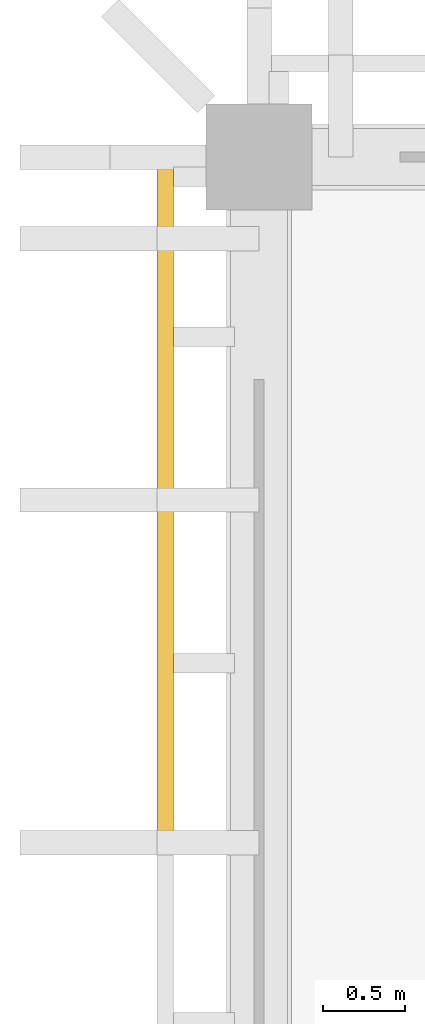
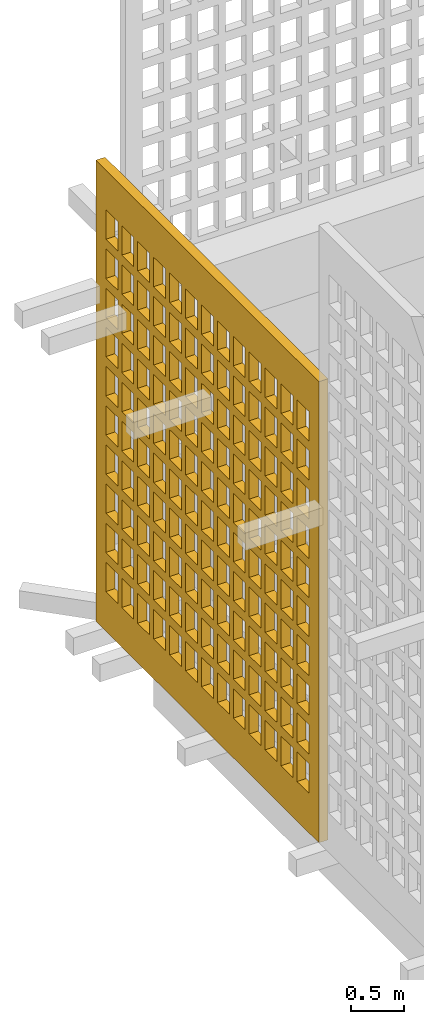
# One storey, part 18 of 23: 1 shading device, 1 opening.
"""IFC4 building model written with IfcOpenShell, lengths in metres."""

import ifcopenshell
import ifcopenshell.guid

model = None  # the IFC model being written
_history = None  # IfcOwnerHistory: only IFC2X3 demands one
_inside = {}  # id of a spatial element -> (the spatial element, [elements in it])
_under = {}  # id of a project, library or spatial element -> (it, [spatial elements below it])
_declared = {}  # id of a project -> (the project, [libraries it declares])
_typed = {}  # id of a type object -> (the type object, [elements of that type])
_made_of = {}  # id of a material, layer set ... -> (it, [elements and type objects made of it])


def new_model(schema):
    """Start an empty IFC model of exactly this schema.

    Asked for "IFC4X3", IfcOpenShell would pick the latest addendum, in which some entities
    have other attributes; the version numbers below select the first issue.
    IFC2X3 requires an IfcOwnerHistory on every rooted entity: one is made here for all.
    """
    global model, _history
    if schema == "IFC4X3":
        model = ifcopenshell.file(schema_version=(4, 3, 0, 0))
    else:
        model = ifcopenshell.file(schema=schema)
    _inside.clear()
    _under.clear()
    _declared.clear()
    _typed.clear()
    _made_of.clear()
    _history = None
    if model.schema == "IFC2X3":
        org = make("IfcOrganization", Name="unknown")
        user = make(
            "IfcPersonAndOrganization",
            ThePerson=make("IfcPerson", FamilyName="unknown"),
            TheOrganization=org,
        )
        app = make(
            "IfcApplication",
            ApplicationDeveloper=org,
            Version="unknown",
            ApplicationFullName="unknown",
            ApplicationIdentifier="unknown",
        )
        _history = make(
            "IfcOwnerHistory",
            OwningUser=user,
            OwningApplication=app,
            ChangeAction="ADDED",
            CreationDate=0,
        )
    return model


def make(cls, **values):
    """One entity of the class cls with the attributes given. An attribute that is None is left unset."""
    return model.create_entity(
        cls, **{name: value for name, value in values.items() if value is not None}
    )


def rooted(cls, **values):
    """An entity with a GlobalId (a new one), such as an element, a storey or a relation."""
    return make(cls, GlobalId=ifcopenshell.guid.new(), OwnerHistory=_history, **values)


def si_unit(unit_type, name, prefix=None):
    """IfcSIUnit, for example si_unit("LENGTHUNIT", "METRE", prefix="MILLI")."""
    return make("IfcSIUnit", UnitType=unit_type, Prefix=prefix, Name=name)


def assignment(units):
    """IfcUnitAssignment: the units of a project."""
    return None if units is None else make("IfcUnitAssignment", Units=units)


def point(xyz):
    """IfcCartesianPoint."""
    return None if xyz is None else make("IfcCartesianPoint", Coordinates=xyz)


def direction(xyz):
    """IfcDirection."""
    return None if xyz is None else make("IfcDirection", DirectionRatios=xyz)


def frame(location, z_axis=None, x_axis=None):
    """IfcAxis2Placement3D, a coordinate frame: its origin and axes. An axis left out is left unset."""
    return make(
        "IfcAxis2Placement3D",
        Location=point(location),
        Axis=direction(z_axis),
        RefDirection=direction(x_axis),
    )


def frame_2d(location, x_axis=None):
    """IfcAxis2Placement2D, a coordinate frame in the plane: its origin and x axis."""
    return make(
        "IfcAxis2Placement2D", Location=point(location), RefDirection=direction(x_axis)
    )


def origin():
    """The frame at (0, 0, 0) with its axes left unset."""
    return frame((0.0, 0.0, 0.0))


def origin_2d():
    """The frame at (0, 0) in the plane with its x axis left unset."""
    return frame_2d((0.0, 0.0))


def place(relative_to, where):
    """IfcLocalPlacement: puts the frame where relative to a parent placement (None: the world)."""
    return make(
        "IfcLocalPlacement", PlacementRelTo=relative_to, RelativePlacement=where
    )


def context(
    kind, dimensions, precision=None, world=None, true_north=None, identifier=None
):
    """IfcGeometricRepresentationContext, for example the 3D "Model" context."""
    return make(
        "IfcGeometricRepresentationContext",
        ContextIdentifier=identifier,
        ContextType=kind,
        CoordinateSpaceDimension=dimensions,
        Precision=precision,
        WorldCoordinateSystem=world,
        TrueNorth=true_north,
    )


def subcontext(parent, identifier, kind, view, scale=None):
    """IfcGeometricRepresentationSubContext, for example "Body" below "Model"."""
    return make(
        "IfcGeometricRepresentationSubContext",
        ContextIdentifier=identifier,
        ContextType=kind,
        ParentContext=parent,
        TargetScale=scale,
        TargetView=view,
    )


def project(units=None, contexts=None):
    """IfcProject with its units and contexts."""
    return rooted(
        "IfcProject",
        Name="project",
        RepresentationContexts=contexts,
        UnitsInContext=assignment(units),
    )


def spatial(cls, under=None, at=None, **own):
    """A site, building, storey or space (cls), placed at a placement, below another one or the project."""
    s = rooted(cls, ObjectPlacement=at, **own)
    if under is not None:
        _under.setdefault(under.id(), (under, []))[1].append(s)
    return s


def profile(cls, at=None, kind="AREA", **sizes):
    """A parametric profile (cls). Its sizes go by their IFC names, for example OverallWidth=200.0."""
    return make(cls, ProfileType=kind, Position=at, **sizes)


def rectangle(**sizes):
    """IfcRectangleProfileDef."""
    return profile("IfcRectangleProfileDef", **sizes)


def extrude(swept, where, along, depth):
    """IfcExtrudedAreaSolid: the profile swept, set in the frame where, extruded along a direction by depth."""
    return make(
        "IfcExtrudedAreaSolid",
        SweptArea=swept,
        Position=where,
        ExtrudedDirection=direction(along),
        Depth=depth,
    )


def shape(context_of_items, identifier, shape_type, items):
    """IfcShapeRepresentation: the items that make up one representation, for example the "Body"."""
    return make(
        "IfcShapeRepresentation",
        ContextOfItems=context_of_items,
        RepresentationIdentifier=identifier,
        RepresentationType=shape_type,
        Items=items,
    )


def material(Name=None, Category=None):
    """IfcMaterial."""
    return make("IfcMaterial", Name=Name, Category=Category)


def layer(
    of_material, thickness, ventilated=None, Name=None, Category=None, Priority=None
):
    """IfcMaterialLayer: one layer of a wall or slab, of a material (None: an air gap)."""
    return make(
        "IfcMaterialLayer",
        Material=of_material,
        LayerThickness=thickness,
        IsVentilated=ventilated,
        Name=Name,
        Category=Category,
        Priority=Priority,
    )


def layer_set(layers, Name=None):
    """IfcMaterialLayerSet."""
    return make("IfcMaterialLayerSet", MaterialLayers=layers, LayerSetName=Name)


def made_of(thing, what):
    """Note that an element or type object is made of a material, layer set ...; save() writes the relation."""
    if what is not None:
        _made_of.setdefault(what.id(), (what, []))[1].append(thing)
    return thing


def type_object(cls, material=None, **own):
    """A type object (cls), such as IfcWallType, which elements share."""
    return made_of(rooted(cls, **own), material)


def element(
    cls,
    number,
    at=None,
    inside=None,
    cuts=None,
    type_object=None,
    material=None,
    context=None,
    identifier="Body",
    shape_type=None,
    held_by="IfcProductDefinitionShape",
    body=None,
    shapes=None,
    **own,
):
    """One element of the class cls, such as IfcWall. Its Tag is "e" and its number.

    at: its placement. inside: the storey or other place that contains it. cuts: it is an
    opening in that element (IfcRelVoidsElement). A single representation is given by context,
    identifier, shape_type and body (its items); several are given by shapes. held_by: the class
    of the entity that holds the representations. save() writes the other relations.
    """
    e = rooted(cls, Tag="e%d" % number, ObjectPlacement=at, **own)
    if body is not None:
        shapes = [shape(context, identifier, shape_type, body)]
    if shapes is not None:
        e.Representation = make(held_by, Representations=shapes)
    if inside is not None:
        _inside.setdefault(inside.id(), (inside, []))[1].append(e)
    if cuts is not None:
        rooted(
            "IfcRelVoidsElement", RelatingBuildingElement=cuts, RelatedOpeningElement=e
        )
    if type_object is not None:
        _typed.setdefault(type_object.id(), (type_object, []))[1].append(e)
    return made_of(e, material)


def aggregate(whole, parts):
    """IfcRelAggregates: a whole, such as a stair, and the parts it consists of."""
    return rooted("IfcRelAggregates", RelatingObject=whole, RelatedObjects=parts)


def save(model, path):
    """Write the relations noted so far, then the file.

    IfcRelAggregates (storeys below a building ...), IfcRelContainedInSpatialStructure (elements
    in a storey), IfcRelDefinesByType, IfcRelAssociatesMaterial and IfcRelDeclares: one each for
    every whole, place, type object, material and project.
    """
    for whole, parts in _under.values():
        aggregate(whole, parts)
    for where, things in _inside.values():
        rooted(
            "IfcRelContainedInSpatialStructure",
            RelatedElements=things,
            RelatingStructure=where,
        )
    for kind, things in _typed.values():
        rooted("IfcRelDefinesByType", RelatedObjects=things, RelatingType=kind)
    for what, things in _made_of.values():
        rooted("IfcRelAssociatesMaterial", RelatedObjects=things, RelatingMaterial=what)
    for by, libraries in _declared.values():
        rooted("IfcRelDeclares", RelatingContext=by, RelatedDefinitions=libraries)
    model.write(path)


model = new_model("IFC4")

# Units and contexts
model_context = context("Model", 3, precision=1e-05, world=origin(), true_north=direction((0.0, 1.0)))
body_context = subcontext(model_context, "Body", "Model", "MODEL_VIEW")
ifc_project = project(units=[si_unit("LENGTHUNIT", "METRE"), si_unit("AREAUNIT", "SQUARE_METRE"), si_unit("VOLUMEUNIT", "CUBIC_METRE"), si_unit("PLANEANGLEUNIT", "RADIAN"), si_unit("MASSUNIT", "GRAM", prefix="KILO")], contexts=[model_context])

# Site, building, storey
site_placement = place(None, origin())
site = spatial("IfcSite", under=ifc_project, at=site_placement, CompositionType="ELEMENT")
building_placement = place(site_placement, origin())
building = spatial("IfcBuilding", under=site, at=building_placement, Name="Rulbaag Community and Learning Centre", CompositionType="ELEMENT")
storey_placement = place(building_placement, frame((0.0, 0.0, 64.800048828125)))
storey = spatial("IfcBuildingStorey", under=building, at=storey_placement, Name="L17", CompositionType="ELEMENT", Elevation=64.800048828125)

# Shading device, opening
ifc_material = material(Name="Concrete M40", Category="concrete")
ifc_layer = layer(ifc_material, 0.10009765625)
ifc_layer_set = layer_set([ifc_layer], Name="JC-4")
shading_device_type = type_object("IfcShadingDeviceType", Name="JC-4", PredefinedType="SHUTTER", material=ifc_layer_set)
shading_device_placement = place(storey_placement, frame((142.22509765625, 115.5, 0.0), z_axis=(0.0, 0.0, 1.0), x_axis=(1.0, 0.0, 0.0)))
shading_device = element("IfcShadingDevice", 1, at=shading_device_placement, inside=storey, type_object=shading_device_type, Name="Jaali lantern screen", PredefinedType="SHUTTER", context=body_context, shape_type="SweptSolid", body=[
    extrude(rectangle(XDim=0.10009765625, YDim=4.199951171875, at=origin_2d()), origin(), (0.0, 0.0, 1.0), 5.300048828125),
])
opening_placement = place(shading_device_placement, origin())
element("IfcOpeningElement", 2, at=opening_placement, cuts=shading_device, Name="Perforation JC4", PredefinedType="OPENING", context=body_context, shape_type="SweptSolid", body=[
    extrude(rectangle(XDim=0.22509765625, YDim=0.340087890625, at=origin_2d()), frame((-0.06005859375, -1.800048828125, 0.625), z_axis=(1.0, 0.0, 0.0), x_axis=(0.0, 1.0, 0.0)), (0.0, 0.0, 1.0), 0.1201171875),
    extrude(rectangle(XDim=0.22509765625, YDim=0.340087890625, at=origin_2d()), frame((-0.06005859375, -1.5, 0.625), z_axis=(1.0, 0.0, 0.0), x_axis=(0.0, 1.0, 0.0)), (0.0, 0.0, 1.0), 0.1201171875),
    extrude(rectangle(XDim=0.22509765625, YDim=0.340087890625, at=origin_2d()), frame((-0.06005859375, -1.199951171875, 0.625), z_axis=(1.0, 0.0, 0.0), x_axis=(0.0, 1.0, 0.0)), (0.0, 0.0, 1.0), 0.1201171875),
    extrude(rectangle(XDim=0.22509765625, YDim=0.340087890625, at=origin_2d()), frame((-0.06005859375, -0.89990234375, 0.625), z_axis=(1.0, 0.0, 0.0), x_axis=(0.0, 1.0, 0.0)), (0.0, 0.0, 1.0), 0.1201171875),
    extrude(rectangle(XDim=0.22509765625, YDim=0.340087890625, at=origin_2d()), frame((-0.06005859375, -0.60009765625, 0.625), z_axis=(1.0, 0.0, 0.0), x_axis=(0.0, 1.0, 0.0)), (0.0, 0.0, 1.0), 0.1201171875),
    extrude(rectangle(XDim=0.22509765625, YDim=0.340087890625, at=origin_2d()), frame((-0.06005859375, -0.300048828125, 0.625), z_axis=(1.0, 0.0, 0.0), x_axis=(0.0, 1.0, 0.0)), (0.0, 0.0, 1.0), 0.1201171875),
    extrude(rectangle(XDim=0.22509765625, YDim=0.340087890625, at=origin_2d()), frame((-0.06005859375, 0.0, 0.625), z_axis=(1.0, 0.0, 0.0), x_axis=(0.0, 1.0, 0.0)), (0.0, 0.0, 1.0), 0.1201171875),
    extrude(rectangle(XDim=0.22509765625, YDim=0.340087890625, at=origin_2d()), frame((-0.06005859375, 0.300048828125, 0.625), z_axis=(1.0, 0.0, 0.0), x_axis=(0.0, 1.0, 0.0)), (0.0, 0.0, 1.0), 0.1201171875),
    extrude(rectangle(XDim=0.22509765625, YDim=0.340087890625, at=origin_2d()), frame((-0.06005859375, 0.60009765625, 0.625), z_axis=(1.0, 0.0, 0.0), x_axis=(0.0, 1.0, 0.0)), (0.0, 0.0, 1.0), 0.1201171875),
    extrude(rectangle(XDim=0.22509765625, YDim=0.340087890625, at=origin_2d()), frame((-0.06005859375, 0.89990234375, 0.625), z_axis=(1.0, 0.0, 0.0), x_axis=(0.0, 1.0, 0.0)), (0.0, 0.0, 1.0), 0.1201171875),
    extrude(rectangle(XDim=0.22509765625, YDim=0.340087890625, at=origin_2d()), frame((-0.06005859375, 1.199951171875, 0.625), z_axis=(1.0, 0.0, 0.0), x_axis=(0.0, 1.0, 0.0)), (0.0, 0.0, 1.0), 0.1201171875),
    extrude(rectangle(XDim=0.22509765625, YDim=0.340087890625, at=origin_2d()), frame((-0.06005859375, 1.5, 0.625), z_axis=(1.0, 0.0, 0.0), x_axis=(0.0, 1.0, 0.0)), (0.0, 0.0, 1.0), 0.1201171875),
    extrude(rectangle(XDim=0.22509765625, YDim=0.340087890625, at=origin_2d()), frame((-0.06005859375, 1.800048828125, 0.625), z_axis=(1.0, 0.0, 0.0), x_axis=(0.0, 1.0, 0.0)), (0.0, 0.0, 1.0), 0.1201171875),
    extrude(rectangle(XDim=0.22509765625, YDim=0.340087890625, at=origin_2d()), frame((-0.06005859375, -1.800048828125, 1.074951171875), z_axis=(1.0, 0.0, 0.0), x_axis=(0.0, 1.0, 0.0)), (0.0, 0.0, 1.0), 0.1201171875),
    extrude(rectangle(XDim=0.22509765625, YDim=0.340087890625, at=origin_2d()), frame((-0.06005859375, -1.5, 1.074951171875), z_axis=(1.0, 0.0, 0.0), x_axis=(0.0, 1.0, 0.0)), (0.0, 0.0, 1.0), 0.1201171875),
    extrude(rectangle(XDim=0.22509765625, YDim=0.340087890625, at=origin_2d()), frame((-0.06005859375, -1.199951171875, 1.074951171875), z_axis=(1.0, 0.0, 0.0), x_axis=(0.0, 1.0, 0.0)), (0.0, 0.0, 1.0), 0.1201171875),
    extrude(rectangle(XDim=0.22509765625, YDim=0.340087890625, at=origin_2d()), frame((-0.06005859375, -0.89990234375, 1.074951171875), z_axis=(1.0, 0.0, 0.0), x_axis=(0.0, 1.0, 0.0)), (0.0, 0.0, 1.0), 0.1201171875),
    extrude(rectangle(XDim=0.22509765625, YDim=0.340087890625, at=origin_2d()), frame((-0.06005859375, -0.60009765625, 1.074951171875), z_axis=(1.0, 0.0, 0.0), x_axis=(0.0, 1.0, 0.0)), (0.0, 0.0, 1.0), 0.1201171875),
    extrude(rectangle(XDim=0.22509765625, YDim=0.340087890625, at=origin_2d()), frame((-0.06005859375, -0.300048828125, 1.074951171875), z_axis=(1.0, 0.0, 0.0), x_axis=(0.0, 1.0, 0.0)), (0.0, 0.0, 1.0), 0.1201171875),
    extrude(rectangle(XDim=0.22509765625, YDim=0.340087890625, at=origin_2d()), frame((-0.06005859375, 0.0, 1.074951171875), z_axis=(1.0, 0.0, 0.0), x_axis=(0.0, 1.0, 0.0)), (0.0, 0.0, 1.0), 0.1201171875),
    extrude(rectangle(XDim=0.22509765625, YDim=0.340087890625, at=origin_2d()), frame((-0.06005859375, 0.300048828125, 1.074951171875), z_axis=(1.0, 0.0, 0.0), x_axis=(0.0, 1.0, 0.0)), (0.0, 0.0, 1.0), 0.1201171875),
    extrude(rectangle(XDim=0.22509765625, YDim=0.340087890625, at=origin_2d()), frame((-0.06005859375, 0.60009765625, 1.074951171875), z_axis=(1.0, 0.0, 0.0), x_axis=(0.0, 1.0, 0.0)), (0.0, 0.0, 1.0), 0.1201171875),
    extrude(rectangle(XDim=0.22509765625, YDim=0.340087890625, at=origin_2d()), frame((-0.06005859375, 0.89990234375, 1.074951171875), z_axis=(1.0, 0.0, 0.0), x_axis=(0.0, 1.0, 0.0)), (0.0, 0.0, 1.0), 0.1201171875),
    extrude(rectangle(XDim=0.22509765625, YDim=0.340087890625, at=origin_2d()), frame((-0.06005859375, 1.199951171875, 1.074951171875), z_axis=(1.0, 0.0, 0.0), x_axis=(0.0, 1.0, 0.0)), (0.0, 0.0, 1.0), 0.1201171875),
    extrude(rectangle(XDim=0.22509765625, YDim=0.340087890625, at=origin_2d()), frame((-0.06005859375, 1.5, 1.074951171875), z_axis=(1.0, 0.0, 0.0), x_axis=(0.0, 1.0, 0.0)), (0.0, 0.0, 1.0), 0.1201171875),
    extrude(rectangle(XDim=0.22509765625, YDim=0.340087890625, at=origin_2d()), frame((-0.06005859375, 1.800048828125, 1.074951171875), z_axis=(1.0, 0.0, 0.0), x_axis=(0.0, 1.0, 0.0)), (0.0, 0.0, 1.0), 0.1201171875),
    extrude(rectangle(XDim=0.22509765625, YDim=0.340087890625, at=origin_2d()), frame((-0.06005859375, -1.800048828125, 1.52490234375), z_axis=(1.0, 0.0, 0.0), x_axis=(0.0, 1.0, 0.0)), (0.0, 0.0, 1.0), 0.1201171875),
    extrude(rectangle(XDim=0.22509765625, YDim=0.340087890625, at=origin_2d()), frame((-0.06005859375, -1.5, 1.52490234375), z_axis=(1.0, 0.0, 0.0), x_axis=(0.0, 1.0, 0.0)), (0.0, 0.0, 1.0), 0.1201171875),
    extrude(rectangle(XDim=0.22509765625, YDim=0.340087890625, at=origin_2d()), frame((-0.06005859375, -1.199951171875, 1.52490234375), z_axis=(1.0, 0.0, 0.0), x_axis=(0.0, 1.0, 0.0)), (0.0, 0.0, 1.0), 0.1201171875),
    extrude(rectangle(XDim=0.22509765625, YDim=0.340087890625, at=origin_2d()), frame((-0.06005859375, -0.89990234375, 1.52490234375), z_axis=(1.0, 0.0, 0.0), x_axis=(0.0, 1.0, 0.0)), (0.0, 0.0, 1.0), 0.1201171875),
    extrude(rectangle(XDim=0.22509765625, YDim=0.340087890625, at=origin_2d()), frame((-0.06005859375, -0.60009765625, 1.52490234375), z_axis=(1.0, 0.0, 0.0), x_axis=(0.0, 1.0, 0.0)), (0.0, 0.0, 1.0), 0.1201171875),
    extrude(rectangle(XDim=0.22509765625, YDim=0.340087890625, at=origin_2d()), frame((-0.06005859375, -0.300048828125, 1.52490234375), z_axis=(1.0, 0.0, 0.0), x_axis=(0.0, 1.0, 0.0)), (0.0, 0.0, 1.0), 0.1201171875),
    extrude(rectangle(XDim=0.22509765625, YDim=0.340087890625, at=origin_2d()), frame((-0.06005859375, 0.0, 1.52490234375), z_axis=(1.0, 0.0, 0.0), x_axis=(0.0, 1.0, 0.0)), (0.0, 0.0, 1.0), 0.1201171875),
    extrude(rectangle(XDim=0.22509765625, YDim=0.340087890625, at=origin_2d()), frame((-0.06005859375, 0.300048828125, 1.52490234375), z_axis=(1.0, 0.0, 0.0), x_axis=(0.0, 1.0, 0.0)), (0.0, 0.0, 1.0), 0.1201171875),
    extrude(rectangle(XDim=0.22509765625, YDim=0.340087890625, at=origin_2d()), frame((-0.06005859375, 0.60009765625, 1.52490234375), z_axis=(1.0, 0.0, 0.0), x_axis=(0.0, 1.0, 0.0)), (0.0, 0.0, 1.0), 0.1201171875),
    extrude(rectangle(XDim=0.22509765625, YDim=0.340087890625, at=origin_2d()), frame((-0.06005859375, 0.89990234375, 1.52490234375), z_axis=(1.0, 0.0, 0.0), x_axis=(0.0, 1.0, 0.0)), (0.0, 0.0, 1.0), 0.1201171875),
    extrude(rectangle(XDim=0.22509765625, YDim=0.340087890625, at=origin_2d()), frame((-0.06005859375, 1.199951171875, 1.52490234375), z_axis=(1.0, 0.0, 0.0), x_axis=(0.0, 1.0, 0.0)), (0.0, 0.0, 1.0), 0.1201171875),
    extrude(rectangle(XDim=0.22509765625, YDim=0.340087890625, at=origin_2d()), frame((-0.06005859375, 1.5, 1.52490234375), z_axis=(1.0, 0.0, 0.0), x_axis=(0.0, 1.0, 0.0)), (0.0, 0.0, 1.0), 0.1201171875),
    extrude(rectangle(XDim=0.22509765625, YDim=0.340087890625, at=origin_2d()), frame((-0.06005859375, 1.800048828125, 1.52490234375), z_axis=(1.0, 0.0, 0.0), x_axis=(0.0, 1.0, 0.0)), (0.0, 0.0, 1.0), 0.1201171875),
    extrude(rectangle(XDim=0.22509765625, YDim=0.340087890625, at=origin_2d()), frame((-0.06005859375, -1.800048828125, 1.97509765625), z_axis=(1.0, 0.0, 0.0), x_axis=(0.0, 1.0, 0.0)), (0.0, 0.0, 1.0), 0.1201171875),
    extrude(rectangle(XDim=0.22509765625, YDim=0.340087890625, at=origin_2d()), frame((-0.06005859375, -1.5, 1.97509765625), z_axis=(1.0, 0.0, 0.0), x_axis=(0.0, 1.0, 0.0)), (0.0, 0.0, 1.0), 0.1201171875),
    extrude(rectangle(XDim=0.22509765625, YDim=0.340087890625, at=origin_2d()), frame((-0.06005859375, -1.199951171875, 1.97509765625), z_axis=(1.0, 0.0, 0.0), x_axis=(0.0, 1.0, 0.0)), (0.0, 0.0, 1.0), 0.1201171875),
    extrude(rectangle(XDim=0.22509765625, YDim=0.340087890625, at=origin_2d()), frame((-0.06005859375, -0.89990234375, 1.97509765625), z_axis=(1.0, 0.0, 0.0), x_axis=(0.0, 1.0, 0.0)), (0.0, 0.0, 1.0), 0.1201171875),
    extrude(rectangle(XDim=0.22509765625, YDim=0.340087890625, at=origin_2d()), frame((-0.06005859375, -0.60009765625, 1.97509765625), z_axis=(1.0, 0.0, 0.0), x_axis=(0.0, 1.0, 0.0)), (0.0, 0.0, 1.0), 0.1201171875),
    extrude(rectangle(XDim=0.22509765625, YDim=0.340087890625, at=origin_2d()), frame((-0.06005859375, -0.300048828125, 1.97509765625), z_axis=(1.0, 0.0, 0.0), x_axis=(0.0, 1.0, 0.0)), (0.0, 0.0, 1.0), 0.1201171875),
    extrude(rectangle(XDim=0.22509765625, YDim=0.340087890625, at=origin_2d()), frame((-0.06005859375, 0.0, 1.97509765625), z_axis=(1.0, 0.0, 0.0), x_axis=(0.0, 1.0, 0.0)), (0.0, 0.0, 1.0), 0.1201171875),
    extrude(rectangle(XDim=0.22509765625, YDim=0.340087890625, at=origin_2d()), frame((-0.06005859375, 0.300048828125, 1.97509765625), z_axis=(1.0, 0.0, 0.0), x_axis=(0.0, 1.0, 0.0)), (0.0, 0.0, 1.0), 0.1201171875),
    extrude(rectangle(XDim=0.22509765625, YDim=0.340087890625, at=origin_2d()), frame((-0.06005859375, 0.60009765625, 1.97509765625), z_axis=(1.0, 0.0, 0.0), x_axis=(0.0, 1.0, 0.0)), (0.0, 0.0, 1.0), 0.1201171875),
    extrude(rectangle(XDim=0.22509765625, YDim=0.340087890625, at=origin_2d()), frame((-0.06005859375, 0.89990234375, 1.97509765625), z_axis=(1.0, 0.0, 0.0), x_axis=(0.0, 1.0, 0.0)), (0.0, 0.0, 1.0), 0.1201171875),
    extrude(rectangle(XDim=0.22509765625, YDim=0.340087890625, at=origin_2d()), frame((-0.06005859375, 1.199951171875, 1.97509765625), z_axis=(1.0, 0.0, 0.0), x_axis=(0.0, 1.0, 0.0)), (0.0, 0.0, 1.0), 0.1201171875),
    extrude(rectangle(XDim=0.22509765625, YDim=0.340087890625, at=origin_2d()), frame((-0.06005859375, 1.5, 1.97509765625), z_axis=(1.0, 0.0, 0.0), x_axis=(0.0, 1.0, 0.0)), (0.0, 0.0, 1.0), 0.1201171875),
    extrude(rectangle(XDim=0.22509765625, YDim=0.340087890625, at=origin_2d()), frame((-0.06005859375, 1.800048828125, 1.97509765625), z_axis=(1.0, 0.0, 0.0), x_axis=(0.0, 1.0, 0.0)), (0.0, 0.0, 1.0), 0.1201171875),
    extrude(rectangle(XDim=0.22509765625, YDim=0.340087890625, at=origin_2d()), frame((-0.06005859375, -1.800048828125, 2.425048828125), z_axis=(1.0, 0.0, 0.0), x_axis=(0.0, 1.0, 0.0)), (0.0, 0.0, 1.0), 0.1201171875),
    extrude(rectangle(XDim=0.22509765625, YDim=0.340087890625, at=origin_2d()), frame((-0.06005859375, -1.5, 2.425048828125), z_axis=(1.0, 0.0, 0.0), x_axis=(0.0, 1.0, 0.0)), (0.0, 0.0, 1.0), 0.1201171875),
    extrude(rectangle(XDim=0.22509765625, YDim=0.340087890625, at=origin_2d()), frame((-0.06005859375, -1.199951171875, 2.425048828125), z_axis=(1.0, 0.0, 0.0), x_axis=(0.0, 1.0, 0.0)), (0.0, 0.0, 1.0), 0.1201171875),
    extrude(rectangle(XDim=0.22509765625, YDim=0.340087890625, at=origin_2d()), frame((-0.06005859375, -0.89990234375, 2.425048828125), z_axis=(1.0, 0.0, 0.0), x_axis=(0.0, 1.0, 0.0)), (0.0, 0.0, 1.0), 0.1201171875),
    extrude(rectangle(XDim=0.22509765625, YDim=0.340087890625, at=origin_2d()), frame((-0.06005859375, -0.60009765625, 2.425048828125), z_axis=(1.0, 0.0, 0.0), x_axis=(0.0, 1.0, 0.0)), (0.0, 0.0, 1.0), 0.1201171875),
    extrude(rectangle(XDim=0.22509765625, YDim=0.340087890625, at=origin_2d()), frame((-0.06005859375, -0.300048828125, 2.425048828125), z_axis=(1.0, 0.0, 0.0), x_axis=(0.0, 1.0, 0.0)), (0.0, 0.0, 1.0), 0.1201171875),
    extrude(rectangle(XDim=0.22509765625, YDim=0.340087890625, at=origin_2d()), frame((-0.06005859375, 0.0, 2.425048828125), z_axis=(1.0, 0.0, 0.0), x_axis=(0.0, 1.0, 0.0)), (0.0, 0.0, 1.0), 0.1201171875),
    extrude(rectangle(XDim=0.22509765625, YDim=0.340087890625, at=origin_2d()), frame((-0.06005859375, 0.300048828125, 2.425048828125), z_axis=(1.0, 0.0, 0.0), x_axis=(0.0, 1.0, 0.0)), (0.0, 0.0, 1.0), 0.1201171875),
    extrude(rectangle(XDim=0.22509765625, YDim=0.340087890625, at=origin_2d()), frame((-0.06005859375, 0.60009765625, 2.425048828125), z_axis=(1.0, 0.0, 0.0), x_axis=(0.0, 1.0, 0.0)), (0.0, 0.0, 1.0), 0.1201171875),
    extrude(rectangle(XDim=0.22509765625, YDim=0.340087890625, at=origin_2d()), frame((-0.06005859375, 0.89990234375, 2.425048828125), z_axis=(1.0, 0.0, 0.0), x_axis=(0.0, 1.0, 0.0)), (0.0, 0.0, 1.0), 0.1201171875),
    extrude(rectangle(XDim=0.22509765625, YDim=0.340087890625, at=origin_2d()), frame((-0.06005859375, 1.199951171875, 2.425048828125), z_axis=(1.0, 0.0, 0.0), x_axis=(0.0, 1.0, 0.0)), (0.0, 0.0, 1.0), 0.1201171875),
    extrude(rectangle(XDim=0.22509765625, YDim=0.340087890625, at=origin_2d()), frame((-0.06005859375, 1.5, 2.425048828125), z_axis=(1.0, 0.0, 0.0), x_axis=(0.0, 1.0, 0.0)), (0.0, 0.0, 1.0), 0.1201171875),
    extrude(rectangle(XDim=0.22509765625, YDim=0.340087890625, at=origin_2d()), frame((-0.06005859375, 1.800048828125, 2.425048828125), z_axis=(1.0, 0.0, 0.0), x_axis=(0.0, 1.0, 0.0)), (0.0, 0.0, 1.0), 0.1201171875),
    extrude(rectangle(XDim=0.22509765625, YDim=0.340087890625, at=origin_2d()), frame((-0.06005859375, -1.800048828125, 2.875), z_axis=(1.0, 0.0, 0.0), x_axis=(0.0, 1.0, 0.0)), (0.0, 0.0, 1.0), 0.1201171875),
    extrude(rectangle(XDim=0.22509765625, YDim=0.340087890625, at=origin_2d()), frame((-0.06005859375, -1.5, 2.875), z_axis=(1.0, 0.0, 0.0), x_axis=(0.0, 1.0, 0.0)), (0.0, 0.0, 1.0), 0.1201171875),
    extrude(rectangle(XDim=0.22509765625, YDim=0.340087890625, at=origin_2d()), frame((-0.06005859375, -1.199951171875, 2.875), z_axis=(1.0, 0.0, 0.0), x_axis=(0.0, 1.0, 0.0)), (0.0, 0.0, 1.0), 0.1201171875),
    extrude(rectangle(XDim=0.22509765625, YDim=0.340087890625, at=origin_2d()), frame((-0.06005859375, -0.89990234375, 2.875), z_axis=(1.0, 0.0, 0.0), x_axis=(0.0, 1.0, 0.0)), (0.0, 0.0, 1.0), 0.1201171875),
    extrude(rectangle(XDim=0.22509765625, YDim=0.340087890625, at=origin_2d()), frame((-0.06005859375, -0.60009765625, 2.875), z_axis=(1.0, 0.0, 0.0), x_axis=(0.0, 1.0, 0.0)), (0.0, 0.0, 1.0), 0.1201171875),
    extrude(rectangle(XDim=0.22509765625, YDim=0.340087890625, at=origin_2d()), frame((-0.06005859375, -0.300048828125, 2.875), z_axis=(1.0, 0.0, 0.0), x_axis=(0.0, 1.0, 0.0)), (0.0, 0.0, 1.0), 0.1201171875),
    extrude(rectangle(XDim=0.22509765625, YDim=0.340087890625, at=origin_2d()), frame((-0.06005859375, 0.0, 2.875), z_axis=(1.0, 0.0, 0.0), x_axis=(0.0, 1.0, 0.0)), (0.0, 0.0, 1.0), 0.1201171875),
    extrude(rectangle(XDim=0.22509765625, YDim=0.340087890625, at=origin_2d()), frame((-0.06005859375, 0.300048828125, 2.875), z_axis=(1.0, 0.0, 0.0), x_axis=(0.0, 1.0, 0.0)), (0.0, 0.0, 1.0), 0.1201171875),
    extrude(rectangle(XDim=0.22509765625, YDim=0.340087890625, at=origin_2d()), frame((-0.06005859375, 0.60009765625, 2.875), z_axis=(1.0, 0.0, 0.0), x_axis=(0.0, 1.0, 0.0)), (0.0, 0.0, 1.0), 0.1201171875),
    extrude(rectangle(XDim=0.22509765625, YDim=0.340087890625, at=origin_2d()), frame((-0.06005859375, 0.89990234375, 2.875), z_axis=(1.0, 0.0, 0.0), x_axis=(0.0, 1.0, 0.0)), (0.0, 0.0, 1.0), 0.1201171875),
    extrude(rectangle(XDim=0.22509765625, YDim=0.340087890625, at=origin_2d()), frame((-0.06005859375, 1.199951171875, 2.875), z_axis=(1.0, 0.0, 0.0), x_axis=(0.0, 1.0, 0.0)), (0.0, 0.0, 1.0), 0.1201171875),
    extrude(rectangle(XDim=0.22509765625, YDim=0.340087890625, at=origin_2d()), frame((-0.06005859375, 1.5, 2.875), z_axis=(1.0, 0.0, 0.0), x_axis=(0.0, 1.0, 0.0)), (0.0, 0.0, 1.0), 0.1201171875),
    extrude(rectangle(XDim=0.22509765625, YDim=0.340087890625, at=origin_2d()), frame((-0.06005859375, 1.800048828125, 2.875), z_axis=(1.0, 0.0, 0.0), x_axis=(0.0, 1.0, 0.0)), (0.0, 0.0, 1.0), 0.1201171875),
    extrude(rectangle(XDim=0.22509765625, YDim=0.340087890625, at=origin_2d()), frame((-0.06005859375, -1.800048828125, 3.324951171875), z_axis=(1.0, 0.0, 0.0), x_axis=(0.0, 1.0, 0.0)), (0.0, 0.0, 1.0), 0.1201171875),
    extrude(rectangle(XDim=0.22509765625, YDim=0.340087890625, at=origin_2d()), frame((-0.06005859375, -1.5, 3.324951171875), z_axis=(1.0, 0.0, 0.0), x_axis=(0.0, 1.0, 0.0)), (0.0, 0.0, 1.0), 0.1201171875),
    extrude(rectangle(XDim=0.22509765625, YDim=0.340087890625, at=origin_2d()), frame((-0.06005859375, -1.199951171875, 3.324951171875), z_axis=(1.0, 0.0, 0.0), x_axis=(0.0, 1.0, 0.0)), (0.0, 0.0, 1.0), 0.1201171875),
    extrude(rectangle(XDim=0.22509765625, YDim=0.340087890625, at=origin_2d()), frame((-0.06005859375, -0.89990234375, 3.324951171875), z_axis=(1.0, 0.0, 0.0), x_axis=(0.0, 1.0, 0.0)), (0.0, 0.0, 1.0), 0.1201171875),
    extrude(rectangle(XDim=0.22509765625, YDim=0.340087890625, at=origin_2d()), frame((-0.06005859375, -0.60009765625, 3.324951171875), z_axis=(1.0, 0.0, 0.0), x_axis=(0.0, 1.0, 0.0)), (0.0, 0.0, 1.0), 0.1201171875),
    extrude(rectangle(XDim=0.22509765625, YDim=0.340087890625, at=origin_2d()), frame((-0.06005859375, -0.300048828125, 3.324951171875), z_axis=(1.0, 0.0, 0.0), x_axis=(0.0, 1.0, 0.0)), (0.0, 0.0, 1.0), 0.1201171875),
    extrude(rectangle(XDim=0.22509765625, YDim=0.340087890625, at=origin_2d()), frame((-0.06005859375, 0.0, 3.324951171875), z_axis=(1.0, 0.0, 0.0), x_axis=(0.0, 1.0, 0.0)), (0.0, 0.0, 1.0), 0.1201171875),
    extrude(rectangle(XDim=0.22509765625, YDim=0.340087890625, at=origin_2d()), frame((-0.06005859375, 0.300048828125, 3.324951171875), z_axis=(1.0, 0.0, 0.0), x_axis=(0.0, 1.0, 0.0)), (0.0, 0.0, 1.0), 0.1201171875),
    extrude(rectangle(XDim=0.22509765625, YDim=0.340087890625, at=origin_2d()), frame((-0.06005859375, 0.60009765625, 3.324951171875), z_axis=(1.0, 0.0, 0.0), x_axis=(0.0, 1.0, 0.0)), (0.0, 0.0, 1.0), 0.1201171875),
    extrude(rectangle(XDim=0.22509765625, YDim=0.340087890625, at=origin_2d()), frame((-0.06005859375, 0.89990234375, 3.324951171875), z_axis=(1.0, 0.0, 0.0), x_axis=(0.0, 1.0, 0.0)), (0.0, 0.0, 1.0), 0.1201171875),
    extrude(rectangle(XDim=0.22509765625, YDim=0.340087890625, at=origin_2d()), frame((-0.06005859375, 1.199951171875, 3.324951171875), z_axis=(1.0, 0.0, 0.0), x_axis=(0.0, 1.0, 0.0)), (0.0, 0.0, 1.0), 0.1201171875),
    extrude(rectangle(XDim=0.22509765625, YDim=0.340087890625, at=origin_2d()), frame((-0.06005859375, 1.5, 3.324951171875), z_axis=(1.0, 0.0, 0.0), x_axis=(0.0, 1.0, 0.0)), (0.0, 0.0, 1.0), 0.1201171875),
    extrude(rectangle(XDim=0.22509765625, YDim=0.340087890625, at=origin_2d()), frame((-0.06005859375, 1.800048828125, 3.324951171875), z_axis=(1.0, 0.0, 0.0), x_axis=(0.0, 1.0, 0.0)), (0.0, 0.0, 1.0), 0.1201171875),
    extrude(rectangle(XDim=0.22509765625, YDim=0.340087890625, at=origin_2d()), frame((-0.06005859375, -1.800048828125, 3.77490234375), z_axis=(1.0, 0.0, 0.0), x_axis=(0.0, 1.0, 0.0)), (0.0, 0.0, 1.0), 0.1201171875),
    extrude(rectangle(XDim=0.22509765625, YDim=0.340087890625, at=origin_2d()), frame((-0.06005859375, -1.5, 3.77490234375), z_axis=(1.0, 0.0, 0.0), x_axis=(0.0, 1.0, 0.0)), (0.0, 0.0, 1.0), 0.1201171875),
    extrude(rectangle(XDim=0.22509765625, YDim=0.340087890625, at=origin_2d()), frame((-0.06005859375, -1.199951171875, 3.77490234375), z_axis=(1.0, 0.0, 0.0), x_axis=(0.0, 1.0, 0.0)), (0.0, 0.0, 1.0), 0.1201171875),
    extrude(rectangle(XDim=0.22509765625, YDim=0.340087890625, at=origin_2d()), frame((-0.06005859375, -0.89990234375, 3.77490234375), z_axis=(1.0, 0.0, 0.0), x_axis=(0.0, 1.0, 0.0)), (0.0, 0.0, 1.0), 0.1201171875),
    extrude(rectangle(XDim=0.22509765625, YDim=0.340087890625, at=origin_2d()), frame((-0.06005859375, -0.60009765625, 3.77490234375), z_axis=(1.0, 0.0, 0.0), x_axis=(0.0, 1.0, 0.0)), (0.0, 0.0, 1.0), 0.1201171875),
    extrude(rectangle(XDim=0.22509765625, YDim=0.340087890625, at=origin_2d()), frame((-0.06005859375, -0.300048828125, 3.77490234375), z_axis=(1.0, 0.0, 0.0), x_axis=(0.0, 1.0, 0.0)), (0.0, 0.0, 1.0), 0.1201171875),
    extrude(rectangle(XDim=0.22509765625, YDim=0.340087890625, at=origin_2d()), frame((-0.06005859375, 0.0, 3.77490234375), z_axis=(1.0, 0.0, 0.0), x_axis=(0.0, 1.0, 0.0)), (0.0, 0.0, 1.0), 0.1201171875),
    extrude(rectangle(XDim=0.22509765625, YDim=0.340087890625, at=origin_2d()), frame((-0.06005859375, 0.300048828125, 3.77490234375), z_axis=(1.0, 0.0, 0.0), x_axis=(0.0, 1.0, 0.0)), (0.0, 0.0, 1.0), 0.1201171875),
    extrude(rectangle(XDim=0.22509765625, YDim=0.340087890625, at=origin_2d()), frame((-0.06005859375, 0.60009765625, 3.77490234375), z_axis=(1.0, 0.0, 0.0), x_axis=(0.0, 1.0, 0.0)), (0.0, 0.0, 1.0), 0.1201171875),
    extrude(rectangle(XDim=0.22509765625, YDim=0.340087890625, at=origin_2d()), frame((-0.06005859375, 0.89990234375, 3.77490234375), z_axis=(1.0, 0.0, 0.0), x_axis=(0.0, 1.0, 0.0)), (0.0, 0.0, 1.0), 0.1201171875),
    extrude(rectangle(XDim=0.22509765625, YDim=0.340087890625, at=origin_2d()), frame((-0.06005859375, 1.199951171875, 3.77490234375), z_axis=(1.0, 0.0, 0.0), x_axis=(0.0, 1.0, 0.0)), (0.0, 0.0, 1.0), 0.1201171875),
    extrude(rectangle(XDim=0.22509765625, YDim=0.340087890625, at=origin_2d()), frame((-0.06005859375, 1.5, 3.77490234375), z_axis=(1.0, 0.0, 0.0), x_axis=(0.0, 1.0, 0.0)), (0.0, 0.0, 1.0), 0.1201171875),
    extrude(rectangle(XDim=0.22509765625, YDim=0.340087890625, at=origin_2d()), frame((-0.06005859375, 1.800048828125, 3.77490234375), z_axis=(1.0, 0.0, 0.0), x_axis=(0.0, 1.0, 0.0)), (0.0, 0.0, 1.0), 0.1201171875),
    extrude(rectangle(XDim=0.22509765625, YDim=0.340087890625, at=origin_2d()), frame((-0.06005859375, -1.800048828125, 4.22509765625), z_axis=(1.0, 0.0, 0.0), x_axis=(0.0, 1.0, 0.0)), (0.0, 0.0, 1.0), 0.1201171875),
    extrude(rectangle(XDim=0.22509765625, YDim=0.340087890625, at=origin_2d()), frame((-0.06005859375, -1.5, 4.22509765625), z_axis=(1.0, 0.0, 0.0), x_axis=(0.0, 1.0, 0.0)), (0.0, 0.0, 1.0), 0.1201171875),
    extrude(rectangle(XDim=0.22509765625, YDim=0.340087890625, at=origin_2d()), frame((-0.06005859375, -1.199951171875, 4.22509765625), z_axis=(1.0, 0.0, 0.0), x_axis=(0.0, 1.0, 0.0)), (0.0, 0.0, 1.0), 0.1201171875),
    extrude(rectangle(XDim=0.22509765625, YDim=0.340087890625, at=origin_2d()), frame((-0.06005859375, -0.89990234375, 4.22509765625), z_axis=(1.0, 0.0, 0.0), x_axis=(0.0, 1.0, 0.0)), (0.0, 0.0, 1.0), 0.1201171875),
    extrude(rectangle(XDim=0.22509765625, YDim=0.340087890625, at=origin_2d()), frame((-0.06005859375, -0.60009765625, 4.22509765625), z_axis=(1.0, 0.0, 0.0), x_axis=(0.0, 1.0, 0.0)), (0.0, 0.0, 1.0), 0.1201171875),
    extrude(rectangle(XDim=0.22509765625, YDim=0.340087890625, at=origin_2d()), frame((-0.06005859375, -0.300048828125, 4.22509765625), z_axis=(1.0, 0.0, 0.0), x_axis=(0.0, 1.0, 0.0)), (0.0, 0.0, 1.0), 0.1201171875),
    extrude(rectangle(XDim=0.22509765625, YDim=0.340087890625, at=origin_2d()), frame((-0.06005859375, 0.0, 4.22509765625), z_axis=(1.0, 0.0, 0.0), x_axis=(0.0, 1.0, 0.0)), (0.0, 0.0, 1.0), 0.1201171875),
    extrude(rectangle(XDim=0.22509765625, YDim=0.340087890625, at=origin_2d()), frame((-0.06005859375, 0.300048828125, 4.22509765625), z_axis=(1.0, 0.0, 0.0), x_axis=(0.0, 1.0, 0.0)), (0.0, 0.0, 1.0), 0.1201171875),
    extrude(rectangle(XDim=0.22509765625, YDim=0.340087890625, at=origin_2d()), frame((-0.06005859375, 0.60009765625, 4.22509765625), z_axis=(1.0, 0.0, 0.0), x_axis=(0.0, 1.0, 0.0)), (0.0, 0.0, 1.0), 0.1201171875),
    extrude(rectangle(XDim=0.22509765625, YDim=0.340087890625, at=origin_2d()), frame((-0.06005859375, 0.89990234375, 4.22509765625), z_axis=(1.0, 0.0, 0.0), x_axis=(0.0, 1.0, 0.0)), (0.0, 0.0, 1.0), 0.1201171875),
    extrude(rectangle(XDim=0.22509765625, YDim=0.340087890625, at=origin_2d()), frame((-0.06005859375, 1.199951171875, 4.22509765625), z_axis=(1.0, 0.0, 0.0), x_axis=(0.0, 1.0, 0.0)), (0.0, 0.0, 1.0), 0.1201171875),
    extrude(rectangle(XDim=0.22509765625, YDim=0.340087890625, at=origin_2d()), frame((-0.06005859375, 1.5, 4.22509765625), z_axis=(1.0, 0.0, 0.0), x_axis=(0.0, 1.0, 0.0)), (0.0, 0.0, 1.0), 0.1201171875),
    extrude(rectangle(XDim=0.22509765625, YDim=0.340087890625, at=origin_2d()), frame((-0.06005859375, 1.800048828125, 4.22509765625), z_axis=(1.0, 0.0, 0.0), x_axis=(0.0, 1.0, 0.0)), (0.0, 0.0, 1.0), 0.1201171875),
    extrude(rectangle(XDim=0.22509765625, YDim=0.340087890625, at=origin_2d()), frame((-0.06005859375, -1.800048828125, 4.675048828125), z_axis=(1.0, 0.0, 0.0), x_axis=(0.0, 1.0, 0.0)), (0.0, 0.0, 1.0), 0.1201171875),
    extrude(rectangle(XDim=0.22509765625, YDim=0.340087890625, at=origin_2d()), frame((-0.06005859375, -1.5, 4.675048828125), z_axis=(1.0, 0.0, 0.0), x_axis=(0.0, 1.0, 0.0)), (0.0, 0.0, 1.0), 0.1201171875),
    extrude(rectangle(XDim=0.22509765625, YDim=0.340087890625, at=origin_2d()), frame((-0.06005859375, -1.199951171875, 4.675048828125), z_axis=(1.0, 0.0, 0.0), x_axis=(0.0, 1.0, 0.0)), (0.0, 0.0, 1.0), 0.1201171875),
    extrude(rectangle(XDim=0.22509765625, YDim=0.340087890625, at=origin_2d()), frame((-0.06005859375, -0.89990234375, 4.675048828125), z_axis=(1.0, 0.0, 0.0), x_axis=(0.0, 1.0, 0.0)), (0.0, 0.0, 1.0), 0.1201171875),
    extrude(rectangle(XDim=0.22509765625, YDim=0.340087890625, at=origin_2d()), frame((-0.06005859375, -0.60009765625, 4.675048828125), z_axis=(1.0, 0.0, 0.0), x_axis=(0.0, 1.0, 0.0)), (0.0, 0.0, 1.0), 0.1201171875),
    extrude(rectangle(XDim=0.22509765625, YDim=0.340087890625, at=origin_2d()), frame((-0.06005859375, -0.300048828125, 4.675048828125), z_axis=(1.0, 0.0, 0.0), x_axis=(0.0, 1.0, 0.0)), (0.0, 0.0, 1.0), 0.1201171875),
    extrude(rectangle(XDim=0.22509765625, YDim=0.340087890625, at=origin_2d()), frame((-0.06005859375, 0.0, 4.675048828125), z_axis=(1.0, 0.0, 0.0), x_axis=(0.0, 1.0, 0.0)), (0.0, 0.0, 1.0), 0.1201171875),
    extrude(rectangle(XDim=0.22509765625, YDim=0.340087890625, at=origin_2d()), frame((-0.06005859375, 0.300048828125, 4.675048828125), z_axis=(1.0, 0.0, 0.0), x_axis=(0.0, 1.0, 0.0)), (0.0, 0.0, 1.0), 0.1201171875),
    extrude(rectangle(XDim=0.22509765625, YDim=0.340087890625, at=origin_2d()), frame((-0.06005859375, 0.60009765625, 4.675048828125), z_axis=(1.0, 0.0, 0.0), x_axis=(0.0, 1.0, 0.0)), (0.0, 0.0, 1.0), 0.1201171875),
    extrude(rectangle(XDim=0.22509765625, YDim=0.340087890625, at=origin_2d()), frame((-0.06005859375, 0.89990234375, 4.675048828125), z_axis=(1.0, 0.0, 0.0), x_axis=(0.0, 1.0, 0.0)), (0.0, 0.0, 1.0), 0.1201171875),
    extrude(rectangle(XDim=0.22509765625, YDim=0.340087890625, at=origin_2d()), frame((-0.06005859375, 1.199951171875, 4.675048828125), z_axis=(1.0, 0.0, 0.0), x_axis=(0.0, 1.0, 0.0)), (0.0, 0.0, 1.0), 0.1201171875),
    extrude(rectangle(XDim=0.22509765625, YDim=0.340087890625, at=origin_2d()), frame((-0.06005859375, 1.5, 4.675048828125), z_axis=(1.0, 0.0, 0.0), x_axis=(0.0, 1.0, 0.0)), (0.0, 0.0, 1.0), 0.1201171875),
    extrude(rectangle(XDim=0.22509765625, YDim=0.340087890625, at=origin_2d()), frame((-0.06005859375, 1.800048828125, 4.675048828125), z_axis=(1.0, 0.0, 0.0), x_axis=(0.0, 1.0, 0.0)), (0.0, 0.0, 1.0), 0.1201171875),
])

save(model, "model.ifc")
